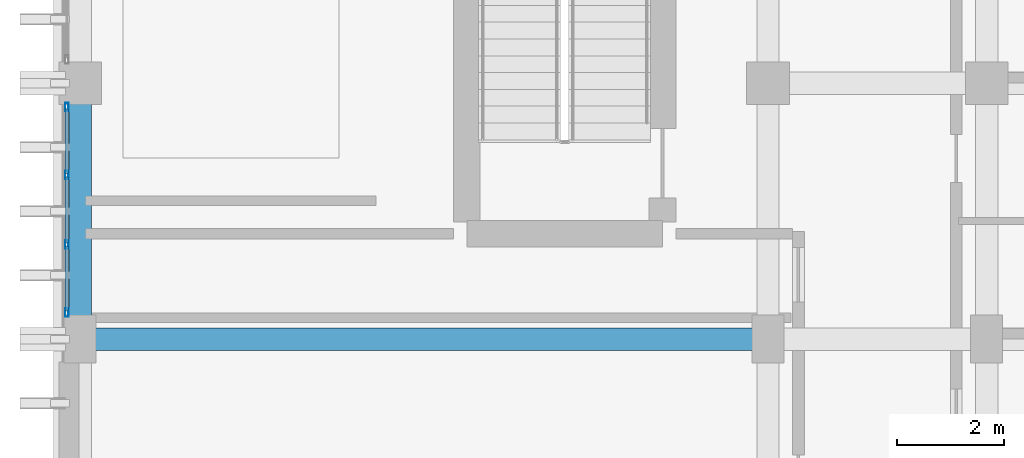
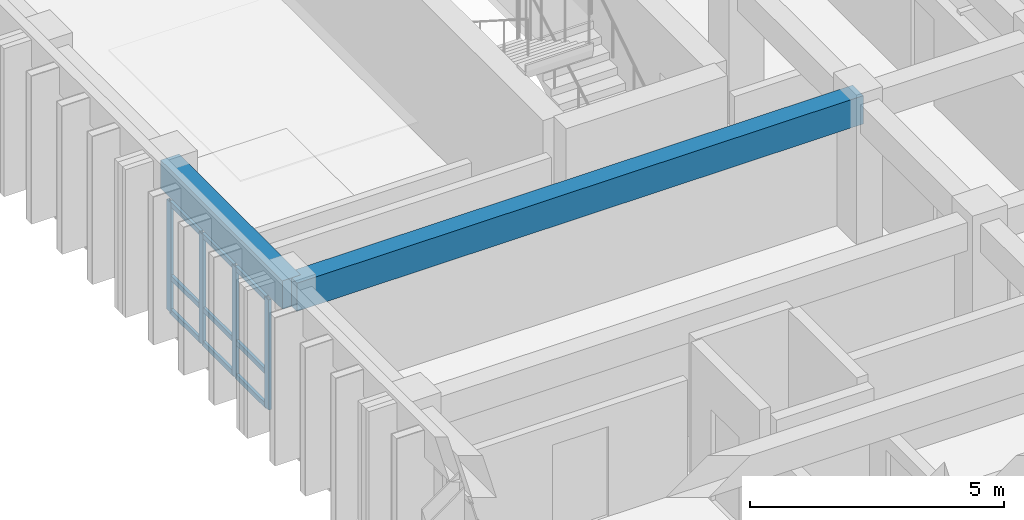
# One storey, part 39 of 82: 13 members, 2 beams, 1 element without a shape of its own.
"""IFC4 building model written with IfcOpenShell, lengths in metres."""

from ifc_helpers import new_model, si_unit, direction, frame, origin, origin_2d, place, context, subcontext, project, spatial, rectangle, hollow_rectangle, extrude, material, layer, layer_set, material_profile, profile_set, type_object, element, aggregate, save


model = new_model("IFC4")

# Units and contexts
model_context = context("Model", 3, precision=1e-05, world=origin(), true_north=direction((0.0, 1.0)))
body_context = subcontext(model_context, "Body", "Model", "MODEL_VIEW")
ifc_project = project(units=[si_unit("LENGTHUNIT", "METRE"), si_unit("AREAUNIT", "SQUARE_METRE"), si_unit("VOLUMEUNIT", "CUBIC_METRE"), si_unit("PLANEANGLEUNIT", "RADIAN"), si_unit("MASSUNIT", "GRAM", prefix="KILO")], contexts=[model_context])

# Site, building, storey
site_placement = place(None, origin())
site = spatial("IfcSite", under=ifc_project, at=site_placement, CompositionType="ELEMENT")
building_placement = place(site_placement, origin())
building = spatial("IfcBuilding", under=site, at=building_placement, Name="Nakhvara Creek Congress Hotel", CompositionType="ELEMENT")
storey_placement = place(building_placement, frame((0.0, 0.0, 21.0)))
storey = spatial("IfcBuildingStorey", under=building, at=storey_placement, Name="L04", CompositionType="ELEMENT", Elevation=21.0)

# Beams
ifc_material_1 = material(Name="Concrete C40/50", Category="concrete")
ifc_material_profile_1 = material_profile(ifc_material_1, rectangle(XDim=0.419921875, YDim=0.679931640625, at=origin_2d()), Name="RC-BM 420x680", Category="LoadBearing")
ifc_profile_set_1 = profile_set([ifc_material_profile_1], Name="Concrete C40/50")
beam_type = type_object("IfcBeamType", Name="BM-RC-420X680", PredefinedType="BEAM", material=ifc_profile_set_1)
beam_1_placement = place(storey_placement, frame((149.449951171875, 100.800048828125, 3.0), z_axis=(0.0, 1.0, 0.0), x_axis=(-1.0, 0.0, 0.0)))
element("IfcBeam", 1, at=beam_1_placement, inside=storey, type_object=beam_type, Name="Beam B11-L04-1934", PredefinedType="BEAM", context=body_context, shape_type="SweptSolid", body=[
    extrude(rectangle(XDim=0.419921875, YDim=0.679931640625, at=origin_2d()), origin(), (0.0, 0.0, 1.0), 4.800048828125),
])
beam_2_placement = place(storey_placement, frame((149.449951171875, 100.800048828125, 3.0), z_axis=(1.0, 0.0, 0.0), x_axis=(0.0, 1.0, 0.0)))
element("IfcBeam", 2, at=beam_2_placement, inside=storey, type_object=beam_type, Name="Beam B11-L04-2036", PredefinedType="BEAM", context=body_context, shape_type="SweptSolid", body=[
    extrude(rectangle(XDim=0.419921875, YDim=0.679931640625, at=origin_2d()), origin(), (0.0, 0.0, 1.0), 12.900146484375),
])

# Curtain wall, members
ifc_material_2 = material(Name="Bronze-anodised aluminium AW-6063-T6 and double-silver low-E glass", Category="aluminium")
ifc_layer = layer(ifc_material_2, 0.199951171875)
ifc_layer_set = layer_set([ifc_layer], Name="Bronze-anodised aluminium AW-6063-T6 and double-silver low-E glass")
curtain_wall_type = type_object("IfcCurtainWallType", Name="CW-HTL-UNIT", PredefinedType="USERDEFINED", material=ifc_layer_set)
curtain_wall_placement = place(storey_placement, origin())
curtain_wall = element("IfcCurtainWall", 3, at=curtain_wall_placement, inside=storey, type_object=curtain_wall_type, Name="Curtain Wall CW195", ObjectType="UNITISED", PredefinedType="USERDEFINED")
ifc_material_3 = material(Name="Bronze-anodised aluminium AW-6063-T6", Category="aluminium")
ifc_material_profile_2 = material_profile(ifc_material_3, hollow_rectangle(XDim=0.06494140625, YDim=0.159912109375, WallThickness=0.00390625, at=origin_2d()), Name="ALU-MULL 65x160x4", Category="LoadBearing")
ifc_profile_set_2 = profile_set([ifc_material_profile_2], Name="Bronze-anodised aluminium AW-6063-T6")
member_type_1 = type_object("IfcMemberType", Name="CW-MULL-160", PredefinedType="MULLION", material=ifc_profile_set_2)
member_1_placement = place(storey_placement, frame((149.199951171875, 101.297607421875, 0.0), z_axis=(0.0, 0.0, 1.0), x_axis=(-1.0, 0.0, 0.0)))
member_1 = element("IfcMember", 4, at=member_1_placement, type_object=member_type_1, Name="CW195 mullion 1", PredefinedType="MULLION", context=body_context, shape_type="SweptSolid", body=[
    extrude(hollow_rectangle(XDim=0.06494140625, YDim=0.159912109375, WallThickness=0.00390625, at=origin_2d()), origin(), (0.0, 0.0, 1.0), 2.652099609375),
])
member_2_placement = place(storey_placement, frame((149.199951171875, 102.57177734375, 0.0), z_axis=(0.0, 0.0, 1.0), x_axis=(-1.0, 0.0, 0.0)))
member_2 = element("IfcMember", 5, at=member_2_placement, type_object=member_type_1, Name="CW195 mullion 2", PredefinedType="MULLION", context=body_context, shape_type="SweptSolid", body=[
    extrude(hollow_rectangle(XDim=0.06494140625, YDim=0.159912109375, WallThickness=0.00390625, at=origin_2d()), origin(), (0.0, 0.0, 1.0), 2.652099609375),
])
member_3_placement = place(storey_placement, frame((149.199951171875, 103.87841796875, 0.0), z_axis=(0.0, 0.0, 1.0), x_axis=(-1.0, 0.0, 0.0)))
member_3 = element("IfcMember", 6, at=member_3_placement, type_object=member_type_1, Name="CW195 mullion 3", PredefinedType="MULLION", context=body_context, shape_type="SweptSolid", body=[
    extrude(hollow_rectangle(XDim=0.06494140625, YDim=0.159912109375, WallThickness=0.00390625, at=origin_2d()), origin(), (0.0, 0.0, 1.0), 2.652099609375),
])
member_4_placement = place(storey_placement, frame((149.199951171875, 105.152587890625, 0.0), z_axis=(0.0, 0.0, 1.0), x_axis=(-1.0, 0.0, 0.0)))
member_4 = element("IfcMember", 7, at=member_4_placement, type_object=member_type_1, Name="CW195 mullion 4", PredefinedType="MULLION", context=body_context, shape_type="SweptSolid", body=[
    extrude(hollow_rectangle(XDim=0.06494140625, YDim=0.159912109375, WallThickness=0.00390625, at=origin_2d()), origin(), (0.0, 0.0, 1.0), 2.652099609375),
])
ifc_material_profile_3 = material_profile(ifc_material_3, hollow_rectangle(XDim=0.06494140625, YDim=0.1201171875, WallThickness=0.00390625, at=origin_2d()), Name="ALU-TRAN 65x120x4", Category="LoadBearing")
ifc_profile_set_3 = profile_set([ifc_material_profile_3], Name="Bronze-anodised aluminium AW-6063-T6")
member_type_2 = type_object("IfcMemberType", Name="CW-TRAN-120", PredefinedType="USERDEFINED", material=ifc_profile_set_3)
member_5_placement = place(storey_placement, frame((149.199951171875, 101.330078125, 0.032470703125), z_axis=(0.0, 1.0, 0.0), x_axis=(-1.0, 0.0, 0.0)))
member_5 = element("IfcMember", 8, at=member_5_placement, type_object=member_type_2, Name="CW195 transom 1.1", ObjectType="TRANSOM", PredefinedType="USERDEFINED", context=body_context, shape_type="SweptSolid", body=[
    extrude(hollow_rectangle(XDim=0.06494140625, YDim=0.1201171875, WallThickness=0.00390625, at=origin_2d()), origin(), (0.0, 0.0, 1.0), 1.208984375),
])
member_6_placement = place(storey_placement, frame((149.199951171875, 101.330078125, 0.85009765625), z_axis=(0.0, 1.0, 0.0), x_axis=(-1.0, 0.0, 0.0)))
member_6 = element("IfcMember", 9, at=member_6_placement, type_object=member_type_2, Name="CW195 transom 1.2", ObjectType="TRANSOM", PredefinedType="USERDEFINED", context=body_context, shape_type="SweptSolid", body=[
    extrude(hollow_rectangle(XDim=0.06494140625, YDim=0.1201171875, WallThickness=0.00390625, at=origin_2d()), origin(), (0.0, 0.0, 1.0), 1.208984375),
])
member_7_placement = place(storey_placement, frame((149.199951171875, 101.330078125, 2.619384765625), z_axis=(0.0, 1.0, 0.0), x_axis=(-1.0, 0.0, 0.0)))
member_7 = element("IfcMember", 10, at=member_7_placement, type_object=member_type_2, Name="CW195 transom 1.3", ObjectType="TRANSOM", PredefinedType="USERDEFINED", context=body_context, shape_type="SweptSolid", body=[
    extrude(hollow_rectangle(XDim=0.06494140625, YDim=0.1201171875, WallThickness=0.00390625, at=origin_2d()), origin(), (0.0, 0.0, 1.0), 1.208984375),
])
member_8_placement = place(storey_placement, frame((149.199951171875, 102.604248046875, 0.032470703125), z_axis=(0.0, 1.0, 0.0), x_axis=(-1.0, 0.0, 0.0)))
member_8 = element("IfcMember", 11, at=member_8_placement, type_object=member_type_2, Name="CW195 transom 2.1", ObjectType="TRANSOM", PredefinedType="USERDEFINED", context=body_context, shape_type="SweptSolid", body=[
    extrude(hollow_rectangle(XDim=0.06494140625, YDim=0.1201171875, WallThickness=0.00390625, at=origin_2d()), origin(), (0.0, 0.0, 1.0), 1.24169921875),
])
member_9_placement = place(storey_placement, frame((149.199951171875, 102.604248046875, 0.85009765625), z_axis=(0.0, 1.0, 0.0), x_axis=(-1.0, 0.0, 0.0)))
member_9 = element("IfcMember", 12, at=member_9_placement, type_object=member_type_2, Name="CW195 transom 2.2", ObjectType="TRANSOM", PredefinedType="USERDEFINED", context=body_context, shape_type="SweptSolid", body=[
    extrude(hollow_rectangle(XDim=0.06494140625, YDim=0.1201171875, WallThickness=0.00390625, at=origin_2d()), origin(), (0.0, 0.0, 1.0), 1.24169921875),
])
member_10_placement = place(storey_placement, frame((149.199951171875, 102.604248046875, 2.619384765625), z_axis=(0.0, 1.0, 0.0), x_axis=(-1.0, 0.0, 0.0)))
member_10 = element("IfcMember", 13, at=member_10_placement, type_object=member_type_2, Name="CW195 transom 2.3", ObjectType="TRANSOM", PredefinedType="USERDEFINED", context=body_context, shape_type="SweptSolid", body=[
    extrude(hollow_rectangle(XDim=0.06494140625, YDim=0.1201171875, WallThickness=0.00390625, at=origin_2d()), origin(), (0.0, 0.0, 1.0), 1.24169921875),
])
member_11_placement = place(storey_placement, frame((149.199951171875, 103.910888671875, 0.032470703125), z_axis=(0.0, 1.0, 0.0), x_axis=(-1.0, 0.0, 0.0)))
member_11 = element("IfcMember", 14, at=member_11_placement, type_object=member_type_2, Name="CW195 transom 3.1", ObjectType="TRANSOM", PredefinedType="USERDEFINED", context=body_context, shape_type="SweptSolid", body=[
    extrude(hollow_rectangle(XDim=0.06494140625, YDim=0.1201171875, WallThickness=0.00390625, at=origin_2d()), origin(), (0.0, 0.0, 1.0), 1.209228515625),
])
member_12_placement = place(storey_placement, frame((149.199951171875, 103.910888671875, 0.85009765625), z_axis=(0.0, 1.0, 0.0), x_axis=(-1.0, 0.0, 0.0)))
member_12 = element("IfcMember", 15, at=member_12_placement, type_object=member_type_2, Name="CW195 transom 3.2", ObjectType="TRANSOM", PredefinedType="USERDEFINED", context=body_context, shape_type="SweptSolid", body=[
    extrude(hollow_rectangle(XDim=0.06494140625, YDim=0.1201171875, WallThickness=0.00390625, at=origin_2d()), origin(), (0.0, 0.0, 1.0), 1.209228515625),
])
member_13_placement = place(storey_placement, frame((149.199951171875, 103.910888671875, 2.619384765625), z_axis=(0.0, 1.0, 0.0), x_axis=(-1.0, 0.0, 0.0)))
member_13 = element("IfcMember", 16, at=member_13_placement, type_object=member_type_2, Name="CW195 transom 3.3", ObjectType="TRANSOM", PredefinedType="USERDEFINED", context=body_context, shape_type="SweptSolid", body=[
    extrude(hollow_rectangle(XDim=0.06494140625, YDim=0.1201171875, WallThickness=0.00390625, at=origin_2d()), origin(), (0.0, 0.0, 1.0), 1.209228515625),
])
aggregate(curtain_wall, [member_1, member_2, member_3, member_4, member_5, member_6, member_7, member_8, member_9, member_10, member_11, member_12, member_13])

save(model, "model.ifc")
